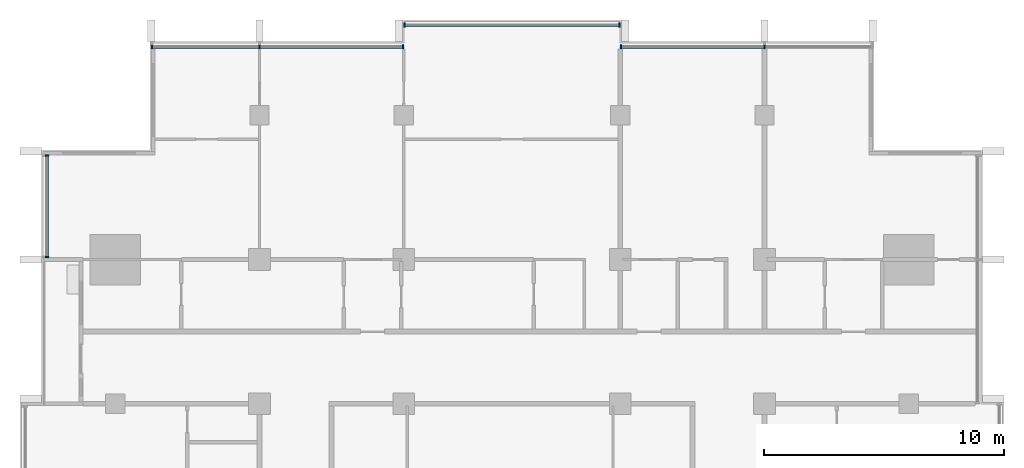
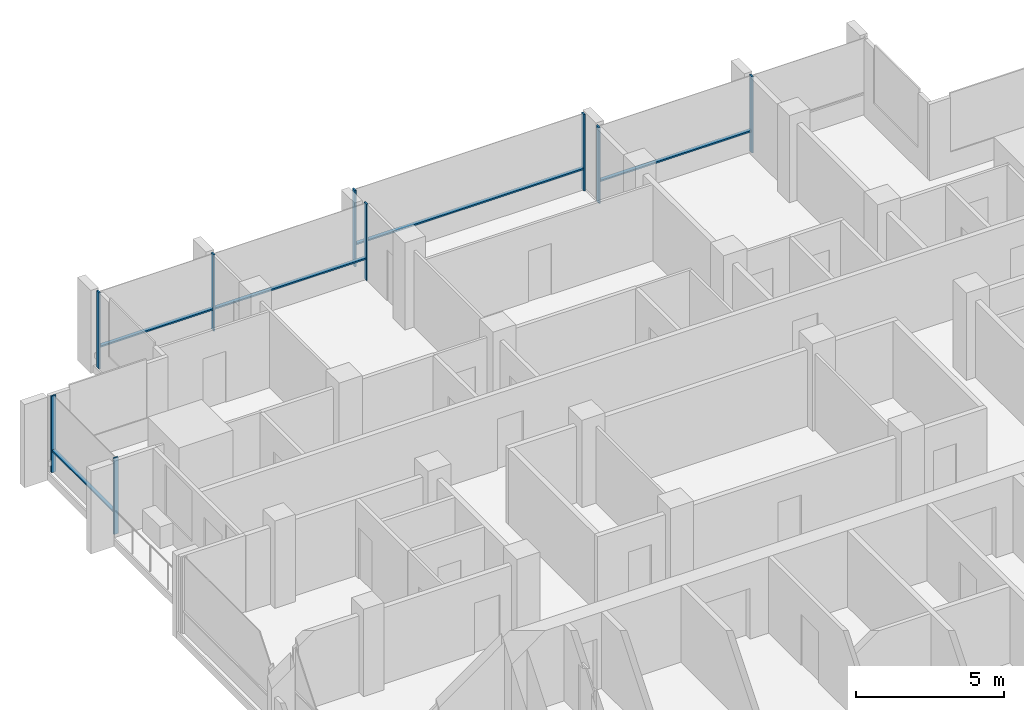
# One storey, part 4 of 16: 14 members, 4 elements without a shape of their own.
"""IFC4 building model written with IfcOpenShell, lengths in metres."""

from ifc_helpers import new_model, si_unit, direction, frame, origin, origin_2d, place, context, subcontext, project, spatial, rectangle, extrude, material, material_profile, profile_set, type_object, element, aggregate, save


model = new_model("IFC4")

# Units and contexts
model_context = context("Model", 3, precision=1e-05, world=origin(), true_north=direction((0.0, 1.0)))
body_context = subcontext(model_context, "Body", "Model", "MODEL_VIEW")
ifc_project = project(units=[si_unit("LENGTHUNIT", "METRE"), si_unit("AREAUNIT", "SQUARE_METRE"), si_unit("VOLUMEUNIT", "CUBIC_METRE"), si_unit("PLANEANGLEUNIT", "RADIAN"), si_unit("MASSUNIT", "GRAM", prefix="KILO")], contexts=[model_context])

# Site, building, storey
site_placement = place(None, origin())
site = spatial("IfcSite", under=ifc_project, at=site_placement, CompositionType="ELEMENT")
building_placement = place(site_placement, origin())
building = spatial("IfcBuilding", under=site, at=building_placement, Name="Finial Court Residences", CompositionType="ELEMENT")
storey_placement = place(building_placement, frame((0.0, 0.0, 244.699951171875)))
storey = spatial("IfcBuildingStorey", under=building, at=storey_placement, Name="L62", CompositionType="ELEMENT", Elevation=244.699951171875)

# Curtain wall, members
ifc_material = material(Name="Bronze anodised aluminium", Category="aluminium")
curtain_wall_type = type_object("IfcCurtainWallType", Name="Unitised curtain wall, upper zones", PredefinedType="NOTDEFINED", material=ifc_material)
curtain_wall_1_placement = place(storey_placement, origin())
curtain_wall_1 = element("IfcCurtainWall", 1, at=curtain_wall_1_placement, inside=storey, type_object=curtain_wall_type, Name="E-L62-CW-N1", PredefinedType="NOTDEFINED")
ifc_material_profile_1 = material_profile(ifc_material, rectangle(XDim=0.175048828125, YDim=0.06005859375, at=origin_2d()), Name="CW2 mullion 60 x 175")
ifc_profile_set_1 = profile_set([ifc_material_profile_1], Name="Bronze anodised aluminium")
member_type_1 = type_object("IfcMemberType", Name="CW2 mullion 60 x 175", PredefinedType="MULLION", material=ifc_profile_set_1)
member_1_placement = place(storey_placement, frame((-14.969970703125, 16.35009765625, 0.0), z_axis=(0.0, 0.0, 1.0), x_axis=(0.0, 1.0, 0.0)))
member_1 = element("IfcMember", 2, at=member_1_placement, type_object=member_type_1, Name="CW2 mullion 1", PredefinedType="MULLION", context=body_context, shape_type="SweptSolid", body=[
    extrude(rectangle(XDim=0.175048828125, YDim=0.06005859375, at=origin_2d()), origin(), (0.0, 0.0, 1.0), 3.150146484375),
])
member_2_placement = place(storey_placement, frame((-10.5, 16.35009765625, 0.0), z_axis=(0.0, 0.0, 1.0), x_axis=(0.0, 1.0, 0.0)))
member_2 = element("IfcMember", 3, at=member_2_placement, type_object=member_type_1, Name="CW2 mullion 2", PredefinedType="MULLION", context=body_context, shape_type="SweptSolid", body=[
    extrude(rectangle(XDim=0.175048828125, YDim=0.06005859375, at=origin_2d()), origin(), (0.0, 0.0, 1.0), 3.150146484375),
])
member_3_placement = place(storey_placement, frame((-4.530029296875, 16.35009765625, 0.0), z_axis=(0.0, 0.0, 1.0), x_axis=(0.0, 1.0, 0.0)))
member_3 = element("IfcMember", 4, at=member_3_placement, type_object=member_type_1, Name="CW2 mullion 3", PredefinedType="MULLION", context=body_context, shape_type="SweptSolid", body=[
    extrude(rectangle(XDim=0.175048828125, YDim=0.06005859375, at=origin_2d()), origin(), (0.0, 0.0, 1.0), 3.150146484375),
])

curtain_wall_2_placement = place(storey_placement, origin())
curtain_wall_2 = element("IfcCurtainWall", 5, at=curtain_wall_2_placement, inside=storey, type_object=curtain_wall_type, Name="E-L62-CW-N2", PredefinedType="NOTDEFINED")
member_4_placement = place(storey_placement, frame((-4.469970703125, 17.25, 0.0), z_axis=(0.0, 0.0, 1.0), x_axis=(0.0, 1.0, 0.0)))
member_4 = element("IfcMember", 6, at=member_4_placement, type_object=member_type_1, Name="CW2 mullion 1", PredefinedType="MULLION", context=body_context, shape_type="SweptSolid", body=[
    extrude(rectangle(XDim=0.175048828125, YDim=0.06005859375, at=origin_2d()), origin(), (0.0, 0.0, 1.0), 3.150146484375),
])
member_5_placement = place(storey_placement, frame((4.469970703125, 17.25, 0.0), z_axis=(0.0, 0.0, 1.0), x_axis=(0.0, 1.0, 0.0)))
member_5 = element("IfcMember", 7, at=member_5_placement, type_object=member_type_1, Name="CW2 mullion 2", PredefinedType="MULLION", context=body_context, shape_type="SweptSolid", body=[
    extrude(rectangle(XDim=0.175048828125, YDim=0.06005859375, at=origin_2d()), origin(), (0.0, 0.0, 1.0), 3.150146484375),
])

curtain_wall_3_placement = place(storey_placement, origin())
curtain_wall_3 = element("IfcCurtainWall", 8, at=curtain_wall_3_placement, inside=storey, type_object=curtain_wall_type, Name="E-L62-CW-N3", PredefinedType="NOTDEFINED")
member_6_placement = place(storey_placement, frame((4.530029296875, 16.35009765625, 0.0), z_axis=(0.0, 0.0, 1.0), x_axis=(0.0, 1.0, 0.0)))
member_6 = element("IfcMember", 9, at=member_6_placement, type_object=member_type_1, Name="CW2 mullion 1", PredefinedType="MULLION", context=body_context, shape_type="SweptSolid", body=[
    extrude(rectangle(XDim=0.175048828125, YDim=0.06005859375, at=origin_2d()), origin(), (0.0, 0.0, 1.0), 3.150146484375),
])
member_7_placement = place(storey_placement, frame((10.5, 16.35009765625, 0.0), z_axis=(0.0, 0.0, 1.0), x_axis=(0.0, 1.0, 0.0)))
member_7 = element("IfcMember", 10, at=member_7_placement, type_object=member_type_1, Name="CW2 mullion 2", PredefinedType="MULLION", context=body_context, shape_type="SweptSolid", body=[
    extrude(rectangle(XDim=0.175048828125, YDim=0.06005859375, at=origin_2d()), origin(), (0.0, 0.0, 1.0), 3.150146484375),
])

curtain_wall_4_placement = place(storey_placement, origin())
curtain_wall_4 = element("IfcCurtainWall", 11, at=curtain_wall_4_placement, inside=storey, type_object=curtain_wall_type, Name="E-L62-CW-W11", PredefinedType="NOTDEFINED")
member_8_placement = place(storey_placement, frame((-19.35009765625, 7.60498046875, 0.0), z_axis=(0.0, 0.0, 1.0), x_axis=(-1.0, 0.0, 0.0)))
member_8 = element("IfcMember", 12, at=member_8_placement, type_object=member_type_1, Name="CW2 mullion 1", PredefinedType="MULLION", context=body_context, shape_type="SweptSolid", body=[
    extrude(rectangle(XDim=0.175048828125, YDim=0.06005859375, at=origin_2d()), origin(), (0.0, 0.0, 1.0), 3.150146484375),
])
member_9_placement = place(storey_placement, frame((-19.35009765625, 11.820068359375, 0.0), z_axis=(0.0, 0.0, 1.0), x_axis=(-1.0, 0.0, 0.0)))
member_9 = element("IfcMember", 13, at=member_9_placement, type_object=member_type_1, Name="CW2 mullion 2", PredefinedType="MULLION", context=body_context, shape_type="SweptSolid", body=[
    extrude(rectangle(XDim=0.175048828125, YDim=0.06005859375, at=origin_2d()), origin(), (0.0, 0.0, 1.0), 3.150146484375),
])

# Member
ifc_material_profile_2 = material_profile(ifc_material, rectangle(XDim=0.139892578125, YDim=0.06005859375, at=origin_2d()), Name="CW2 transom 60 x 140")
ifc_profile_set_2 = profile_set([ifc_material_profile_2], Name="Bronze anodised aluminium")
member_type_2 = type_object("IfcMemberType", Name="CW2 transom 60 x 140", PredefinedType="USERDEFINED", material=ifc_profile_set_2)
member_10_placement = place(storey_placement, frame((-14.93994140625, 16.35009765625, 0.900146484375), z_axis=(1.0, 0.0, 0.0), x_axis=(0.0, 1.0, 0.0)))
member_10 = element("IfcMember", 14, at=member_10_placement, type_object=member_type_2, Name="CW2 transom 1.1", ObjectType="TRANSOM", PredefinedType="USERDEFINED", context=body_context, shape_type="SweptSolid", body=[
    extrude(rectangle(XDim=0.139892578125, YDim=0.06005859375, at=origin_2d()), origin(), (0.0, 0.0, 1.0), 4.409912109375),
])

member_11_placement = place(storey_placement, frame((-10.469970703125, 16.35009765625, 0.900146484375), z_axis=(1.0, 0.0, 0.0), x_axis=(0.0, 1.0, 0.0)))
member_11 = element("IfcMember", 15, at=member_11_placement, type_object=member_type_2, Name="CW2 transom 2.1", ObjectType="TRANSOM", PredefinedType="USERDEFINED", context=body_context, shape_type="SweptSolid", body=[
    extrude(rectangle(XDim=0.139892578125, YDim=0.06005859375, at=origin_2d()), origin(), (0.0, 0.0, 1.0), 5.909912109375),
])

aggregate(curtain_wall_1, [member_1, member_2, member_3, member_10, member_11])

member_12_placement = place(storey_placement, frame((-4.43994140625, 17.25, 0.900146484375), z_axis=(1.0, 0.0, 0.0), x_axis=(0.0, 1.0, 0.0)))
member_12 = element("IfcMember", 16, at=member_12_placement, type_object=member_type_2, Name="CW2 transom 1.1", ObjectType="TRANSOM", PredefinedType="USERDEFINED", context=body_context, shape_type="SweptSolid", body=[
    extrude(rectangle(XDim=0.139892578125, YDim=0.06005859375, at=origin_2d()), origin(), (0.0, 0.0, 1.0), 8.8798828125),
])

aggregate(curtain_wall_2, [member_4, member_5, member_12])

member_13_placement = place(storey_placement, frame((4.56005859375, 16.35009765625, 0.900146484375), z_axis=(1.0, 0.0, 0.0), x_axis=(0.0, 1.0, 0.0)))
member_13 = element("IfcMember", 17, at=member_13_placement, type_object=member_type_2, Name="CW2 transom 1.1", ObjectType="TRANSOM", PredefinedType="USERDEFINED", context=body_context, shape_type="SweptSolid", body=[
    extrude(rectangle(XDim=0.139892578125, YDim=0.06005859375, at=origin_2d()), origin(), (0.0, 0.0, 1.0), 5.909912109375),
])

aggregate(curtain_wall_3, [member_6, member_7, member_13])

member_14_placement = place(storey_placement, frame((-19.35009765625, 7.635009765625, 0.900146484375), z_axis=(0.0, 1.0, 0.0), x_axis=(-1.0, 0.0, 0.0)))
member_14 = element("IfcMember", 18, at=member_14_placement, type_object=member_type_2, Name="CW2 transom 1.1", ObjectType="TRANSOM", PredefinedType="USERDEFINED", context=body_context, shape_type="SweptSolid", body=[
    extrude(rectangle(XDim=0.139892578125, YDim=0.06005859375, at=origin_2d()), origin(), (0.0, 0.0, 1.0), 4.155029296875),
])

aggregate(curtain_wall_4, [member_8, member_9, member_14])

save(model, "model.ifc")
